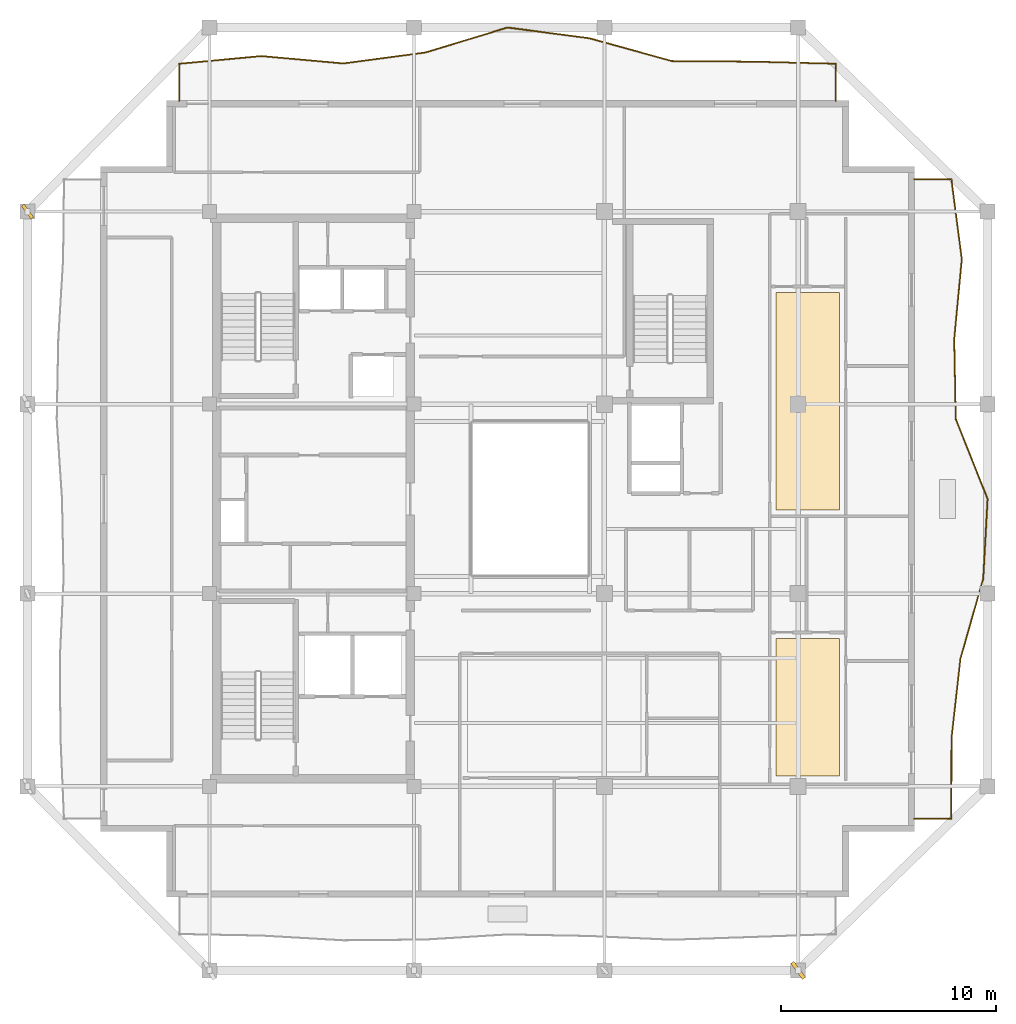
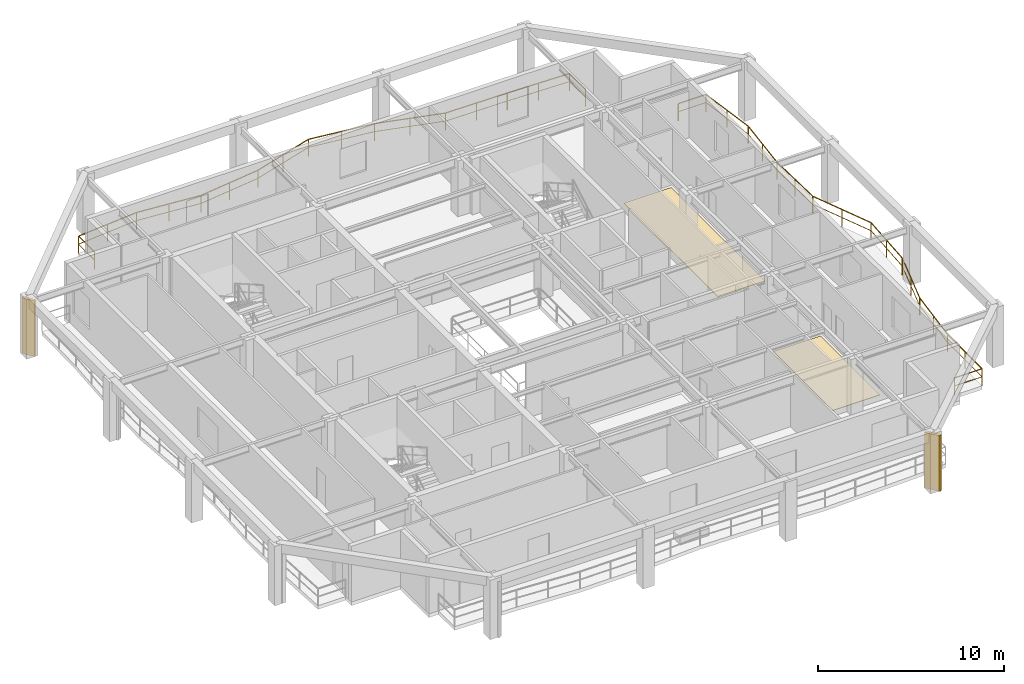
# One storey, part 9 of 10: 2 coverings, 2 railings, 2 shading devices.
"""IFC4 building model written with IfcOpenShell, lengths in metres."""

from ifc_helpers import new_model, si_unit, direction, frame, origin, origin_2d, place, context, subcontext, project, spatial, polyline, rectangle, outline, extrude, material, layer, layer_set, type_object, element, save


model = new_model("IFC4")

# Units and contexts
model_context = context("Model", 3, precision=1e-05, world=origin(), true_north=direction((0.0, 1.0)))
body_context = subcontext(model_context, "Body", "Model", "MODEL_VIEW")
ifc_project = project(units=[si_unit("LENGTHUNIT", "METRE"), si_unit("AREAUNIT", "SQUARE_METRE"), si_unit("VOLUMEUNIT", "CUBIC_METRE"), si_unit("PLANEANGLEUNIT", "RADIAN"), si_unit("MASSUNIT", "GRAM", prefix="KILO")], contexts=[model_context])

# Site, building, storey
site_placement = place(None, origin())
site = spatial("IfcSite", under=ifc_project, at=site_placement, CompositionType="ELEMENT")
building_placement = place(site_placement, origin())
building = spatial("IfcBuilding", under=site, at=building_placement, Name="Kundavana Baori Tower", CompositionType="ELEMENT")
storey_placement = place(building_placement, frame((0.0, 0.0, 276.5)))
storey = spatial("IfcBuildingStorey", under=building, at=storey_placement, Name="L68", CompositionType="ELEMENT", Elevation=276.5)

# Coverings
ifc_material_1 = material(Name="Honed Kota Stone and Terrazzo Flooring", Category="masonry")
ifc_layer = layer(ifc_material_1, 0.030029296875, Name="COV-INT-FLR")
ifc_layer_set = layer_set([ifc_layer], Name="Honed Kota Stone and Terrazzo Flooring")
covering_type = type_object("IfcCoveringType", Name="COV-INT-FLR", PredefinedType="FLOORING", material=ifc_layer_set)
covering_1_placement = place(storey_placement, origin())
element("IfcCovering", 1, at=covering_1_placement, inside=storey, type_object=covering_type, Name="L68 Room Finished Stone Flooring 2", PredefinedType="FLOORING", context=body_context, shape_type="SweptSolid", body=[
    extrude(outline(polyline([(41.780029296875, 15.72998046875), (44.719970703125, 15.72998046875), (44.719970703125, 22.1201171875), (41.780029296875, 22.1201171875), (41.780029296875, 15.72998046875)])), origin(), (0.0, 0.0, 1.0), 0.030029296875),
])
covering_2_placement = place(storey_placement, origin())
element("IfcCovering", 2, at=covering_2_placement, inside=storey, type_object=covering_type, Name="L68 Room Finished Stone Flooring 3", PredefinedType="FLOORING", context=body_context, shape_type="SweptSolid", body=[
    extrude(outline(polyline([(41.780029296875, 28.080078125), (44.719970703125, 28.080078125), (44.719970703125, 38.18994140625), (41.780029296875, 38.18994140625), (41.780029296875, 28.080078125)])), origin(), (0.0, 0.0, 1.0), 0.030029296875),
])

# Railings
ifc_material_2 = material(Name="Architectural Patinated Bronze Metalwork")
railing_type = type_object("IfcRailingType", Name="RL-BAL-1150", PredefinedType="BALUSTRADE", material=ifc_material_2)
railing_1_placement = place(storey_placement, frame((48.199951171875, 43.449951171875, 0.0)))
element("IfcRailing", 3, at=railing_1_placement, inside=storey, type_object=railing_type, Name="L68 Loggia Balcony Balustrade E", PredefinedType="BALUSTRADE", context=body_context, shape_type="SweptSolid", body=[
    extrude(rectangle(XDim=0.048095703125, YDim=0.048095703125, at=origin_2d()), frame((0.0, 0.0, 1.1259765625), z_axis=(1.0, 0.0, 0.0), x_axis=(0.0, 1.0, 0.0)), (0.0, 0.0, 1.0), 1.719970703125),
    extrude(rectangle(XDim=0.03125, YDim=0.03125, at=origin_2d()), frame((0.0, 0.0, 0.597900390625), z_axis=(1.0, 0.0, 0.0), x_axis=(0.0, 1.0, 0.0)), (0.0, 0.0, 1.0), 1.719970703125),
    extrude(rectangle(XDim=0.048095703125, YDim=0.048095703125, at=origin_2d()), frame((1.719970703125, 0.0, 1.1259765625), z_axis=(0.129330819445, -0.991601502188, 0.0), x_axis=(0.991601502188, 0.129330819445, 0.0)), (0.0, 0.0, 1.0), 3.743408203125),
    extrude(rectangle(XDim=0.03125, YDim=0.03125, at=origin_2d()), frame((1.719970703125, 0.0, 0.597900390625), z_axis=(0.129330819445, -0.991601502188, 0.0), x_axis=(0.991601502188, 0.129330819445, 0.0)), (0.0, 0.0, 1.0), 3.743408203125),
    extrude(rectangle(XDim=0.048095703125, YDim=0.048095703125, at=origin_2d()), frame((2.2041015625, -3.7119140625, 1.1259765625), z_axis=(-0.094388982681, -0.995535393619, 0.0), x_axis=(0.995535393619, -0.094388982681, 0.0)), (0.0, 0.0, 1.0), 3.729736328125),
    extrude(rectangle(XDim=0.03125, YDim=0.03125, at=origin_2d()), frame((2.2041015625, -3.7119140625, 0.597900390625), z_axis=(-0.094388982681, -0.995535393619, 0.0), x_axis=(0.995535393619, -0.094388982681, 0.0)), (0.0, 0.0, 1.0), 3.729736328125),
    extrude(rectangle(XDim=0.048095703125, YDim=0.048095703125, at=origin_2d()), frame((1.85205078125, -7.425048828125, 1.1259765625), z_axis=(0.019394037073, -0.999811917976, 0.0), x_axis=(0.999811917976, 0.019394037073, 0.0)), (0.0, 0.0, 1.0), 3.713623046875),
    extrude(rectangle(XDim=0.03125, YDim=0.03125, at=origin_2d()), frame((1.85205078125, -7.425048828125, 0.597900390625), z_axis=(0.019394037073, -0.999811917976, 0.0), x_axis=(0.999811917976, 0.019394037073, 0.0)), (0.0, 0.0, 1.0), 3.713623046875),
    extrude(rectangle(XDim=0.048095703125, YDim=0.048095703125, at=origin_2d()), frame((1.924072265625, -11.137939453125, 1.1259765625), z_axis=(0.369514254444, -0.929225061954, 0.0), x_axis=(0.929225061954, 0.369514254444, 0.0)), (0.0, 0.0, 1.0), 3.99462890625),
    extrude(rectangle(XDim=0.03125, YDim=0.03125, at=origin_2d()), frame((1.924072265625, -11.137939453125, 0.597900390625), z_axis=(0.369514254444, -0.929225061954, 0.0), x_axis=(0.929225061954, 0.369514254444, 0.0)), (0.0, 0.0, 1.0), 3.99462890625),
    extrude(rectangle(XDim=0.048095703125, YDim=0.048095703125, at=origin_2d()), frame((3.400146484375, -14.849853515625, 1.1259765625), z_axis=(-0.054898996331, -0.998491912938, 0.0), x_axis=(0.998491912938, -0.054898996331, 0.0)), (0.0, 0.0, 1.0), 3.7177734375),
    extrude(rectangle(XDim=0.03125, YDim=0.03125, at=origin_2d()), frame((3.400146484375, -14.849853515625, 0.597900390625), z_axis=(-0.054898996331, -0.998491912938, 0.0), x_axis=(0.998491912938, -0.054898996331, 0.0)), (0.0, 0.0, 1.0), 3.7177734375),
    extrude(rectangle(XDim=0.048095703125, YDim=0.048095703125, at=origin_2d()), frame((3.196044921875, -18.56201171875, 1.1259765625), z_axis=(-0.273543096347, -0.961859747802, 0.0), x_axis=(0.961859747802, -0.273543096347, 0.0)), (0.0, 0.0, 1.0), 3.860107421875),
    extrude(rectangle(XDim=0.03125, YDim=0.03125, at=origin_2d()), frame((3.196044921875, -18.56201171875, 0.597900390625), z_axis=(-0.273543096347, -0.961859747802, 0.0), x_axis=(0.961859747802, -0.273543096347, 0.0)), (0.0, 0.0, 1.0), 3.860107421875),
    extrude(rectangle(XDim=0.048095703125, YDim=0.048095703125, at=origin_2d()), frame((2.14013671875, -22.27490234375, 1.1259765625), z_axis=(-0.11134227944, -0.993782117372, 0.0), x_axis=(0.993782117372, -0.11134227944, 0.0)), (0.0, 0.0, 1.0), 3.736328125),
    extrude(rectangle(XDim=0.03125, YDim=0.03125, at=origin_2d()), frame((2.14013671875, -22.27490234375, 0.597900390625), z_axis=(-0.11134227944, -0.993782117372, 0.0), x_axis=(0.993782117372, -0.11134227944, 0.0)), (0.0, 0.0, 1.0), 3.736328125),
    extrude(rectangle(XDim=0.048095703125, YDim=0.048095703125, at=origin_2d()), frame((1.72412109375, -25.988037109375, 1.1259765625), z_axis=(-0.00111812611, -0.999999374897, 0.0), x_axis=(0.999999374897, -0.00111812611, 0.0)), (0.0, 0.0, 1.0), 3.7119140625),
    extrude(rectangle(XDim=0.03125, YDim=0.03125, at=origin_2d()), frame((1.72412109375, -25.988037109375, 0.597900390625), z_axis=(-0.00111812611, -0.999999374897, 0.0), x_axis=(0.999999374897, -0.00111812611, 0.0)), (0.0, 0.0, 1.0), 3.7119140625),
    extrude(rectangle(XDim=0.048095703125, YDim=0.048095703125, at=origin_2d()), frame((1.719970703125, -29.699951171875, 1.1259765625), z_axis=(-1.0, 0.0, 0.0), x_axis=(0.0, -1.0, 0.0)), (0.0, 0.0, 1.0), 1.719970703125),
    extrude(rectangle(XDim=0.03125, YDim=0.03125, at=origin_2d()), frame((1.719970703125, -29.699951171875, 0.597900390625), z_axis=(-1.0, 0.0, 0.0), x_axis=(0.0, -1.0, 0.0)), (0.0, 0.0, 1.0), 1.719970703125),
    extrude(rectangle(XDim=0.0419921875, YDim=0.0419921875, at=origin_2d()), origin(), (0.0, 0.0, 1.0), 1.101806640625),
    extrude(rectangle(XDim=0.0419921875, YDim=0.0419921875, at=origin_2d()), frame((1.719970703125, 0.0, 0.0)), (0.0, 0.0, 1.0), 1.101806640625),
    extrude(rectangle(XDim=0.0419921875, YDim=0.0419921875, at=origin_2d()), frame((1.9619140625, -1.85595703125, 0.0)), (0.0, 0.0, 1.0), 1.101806640625),
    extrude(rectangle(XDim=0.0419921875, YDim=0.0419921875, at=origin_2d()), frame((2.2041015625, -3.7119140625, 0.0)), (0.0, 0.0, 1.0), 1.101806640625),
    extrude(rectangle(XDim=0.0419921875, YDim=0.0419921875, at=origin_2d()), frame((2.028076171875, -5.568359375, 0.0)), (0.0, 0.0, 1.0), 1.101806640625),
    extrude(rectangle(XDim=0.0419921875, YDim=0.0419921875, at=origin_2d()), frame((1.85205078125, -7.425048828125, 0.0)), (0.0, 0.0, 1.0), 1.101806640625),
    extrude(rectangle(XDim=0.0419921875, YDim=0.0419921875, at=origin_2d()), frame((1.88818359375, -9.281494140625, 0.0)), (0.0, 0.0, 1.0), 1.101806640625),
    extrude(rectangle(XDim=0.0419921875, YDim=0.0419921875, at=origin_2d()), frame((1.924072265625, -11.137939453125, 0.0)), (0.0, 0.0, 1.0), 1.101806640625),
    extrude(rectangle(XDim=0.0419921875, YDim=0.0419921875, at=origin_2d()), frame((2.662109375, -12.993896484375, 0.0)), (0.0, 0.0, 1.0), 1.101806640625),
    extrude(rectangle(XDim=0.0419921875, YDim=0.0419921875, at=origin_2d()), frame((3.400146484375, -14.849853515625, 0.0)), (0.0, 0.0, 1.0), 1.101806640625),
    extrude(rectangle(XDim=0.0419921875, YDim=0.0419921875, at=origin_2d()), frame((3.298095703125, -16.7060546875, 0.0)), (0.0, 0.0, 1.0), 1.101806640625),
    extrude(rectangle(XDim=0.0419921875, YDim=0.0419921875, at=origin_2d()), frame((3.196044921875, -18.56201171875, 0.0)), (0.0, 0.0, 1.0), 1.101806640625),
    extrude(rectangle(XDim=0.0419921875, YDim=0.0419921875, at=origin_2d()), frame((2.66796875, -20.41845703125, 0.0)), (0.0, 0.0, 1.0), 1.101806640625),
    extrude(rectangle(XDim=0.0419921875, YDim=0.0419921875, at=origin_2d()), frame((2.14013671875, -22.27490234375, 0.0)), (0.0, 0.0, 1.0), 1.101806640625),
    extrude(rectangle(XDim=0.0419921875, YDim=0.0419921875, at=origin_2d()), frame((1.93212890625, -24.13134765625, 0.0)), (0.0, 0.0, 1.0), 1.101806640625),
    extrude(rectangle(XDim=0.0419921875, YDim=0.0419921875, at=origin_2d()), frame((1.72412109375, -25.988037109375, 0.0)), (0.0, 0.0, 1.0), 1.101806640625),
    extrude(rectangle(XDim=0.0419921875, YDim=0.0419921875, at=origin_2d()), frame((1.72216796875, -27.843994140625, 0.0)), (0.0, 0.0, 1.0), 1.101806640625),
    extrude(rectangle(XDim=0.0419921875, YDim=0.0419921875, at=origin_2d()), frame((1.719970703125, -29.699951171875, 0.0)), (0.0, 0.0, 1.0), 1.101806640625),
    extrude(rectangle(XDim=0.0419921875, YDim=0.0419921875, at=origin_2d()), frame((0.0, -29.699951171875, 0.0)), (0.0, 0.0, 1.0), 1.101806640625),
])
railing_2_placement = place(storey_placement, frame((14.050048828125, 47.10009765625, 0.0)))
element("IfcRailing", 4, at=railing_2_placement, inside=storey, type_object=railing_type, Name="L68 Loggia Balcony Balustrade N", PredefinedType="BALUSTRADE", context=body_context, shape_type="SweptSolid", body=[
    extrude(rectangle(XDim=0.048095703125, YDim=0.048095703125, at=origin_2d()), frame((0.0, 0.0, 1.1259765625), z_axis=(0.0, 1.0, 0.0), x_axis=(-1.0, 0.0, 0.0)), (0.0, 0.0, 1.0), 1.719970703125),
    extrude(rectangle(XDim=0.03125, YDim=0.03125, at=origin_2d()), frame((0.0, 0.0, 0.597900390625), z_axis=(0.0, 1.0, 0.0), x_axis=(-1.0, 0.0, 0.0)), (0.0, 0.0, 1.0), 1.719970703125),
    extrude(rectangle(XDim=0.048095703125, YDim=0.048095703125, at=origin_2d()), frame((0.0, 1.719970703125, 1.1259765625), z_axis=(0.995647176284, 0.093202469697, 0.0), x_axis=(-0.093202469697, 0.995647176284, 0.0)), (0.0, 0.0, 1.0), 3.82958984375),
    extrude(rectangle(XDim=0.03125, YDim=0.03125, at=origin_2d()), frame((0.0, 1.719970703125, 0.597900390625), z_axis=(0.995647176284, 0.093202469697, 0.0), x_axis=(-0.093202469697, 0.995647176284, 0.0)), (0.0, 0.0, 1.0), 3.82958984375),
    extrude(rectangle(XDim=0.048095703125, YDim=0.048095703125, at=origin_2d()), frame((3.81298828125, 2.076904296875, 1.1259765625), z_axis=(0.995975919339, -0.089621248026, 0.0), x_axis=(0.089621248026, 0.995975919339, 0.0)), (0.0, 0.0, 1.0), 3.827392578125),
    extrude(rectangle(XDim=0.03125, YDim=0.03125, at=origin_2d()), frame((3.81298828125, 2.076904296875, 0.597900390625), z_axis=(0.995975919339, -0.089621248026, 0.0), x_axis=(0.089621248026, 0.995975919339, 0.0)), (0.0, 0.0, 1.0), 3.827392578125),
    extrude(rectangle(XDim=0.048095703125, YDim=0.048095703125, at=origin_2d()), frame((7.625, 1.73388671875, 1.1259765625), z_axis=(0.991168479406, 0.132608617489, 0.0), x_axis=(-0.132608617489, 0.991168479406, 0.0)), (0.0, 0.0, 1.0), 3.845947265625),
    extrude(rectangle(XDim=0.03125, YDim=0.03125, at=origin_2d()), frame((7.625, 1.73388671875, 0.597900390625), z_axis=(0.991168479406, 0.132608617489, 0.0), x_axis=(-0.132608617489, 0.991168479406, 0.0)), (0.0, 0.0, 1.0), 3.845947265625),
    extrude(rectangle(XDim=0.048095703125, YDim=0.048095703125, at=origin_2d()), frame((11.43701171875, 2.243896484375, 1.1259765625), z_axis=(0.956985745048, 0.290134940633, 0.0), x_axis=(-0.290134940633, 0.956985745048, 0.0)), (0.0, 0.0, 1.0), 3.984375),
    extrude(rectangle(XDim=0.03125, YDim=0.03125, at=origin_2d()), frame((11.43701171875, 2.243896484375, 0.597900390625), z_axis=(0.956985745048, 0.290134940633, 0.0), x_axis=(-0.290134940633, 0.956985745048, 0.0)), (0.0, 0.0, 1.0), 3.984375),
    extrude(rectangle(XDim=0.048095703125, YDim=0.048095703125, at=origin_2d()), frame((15.25, 3.39990234375, 1.1259765625), z_axis=(0.991572767282, -0.129550944361, 0.0), x_axis=(0.129550944361, 0.991572767282, 0.0)), (0.0, 0.0, 1.0), 3.844482421875),
    extrude(rectangle(XDim=0.03125, YDim=0.03125, at=origin_2d()), frame((15.25, 3.39990234375, 0.597900390625), z_axis=(0.991572767282, -0.129550944361, 0.0), x_axis=(0.129550944361, 0.991572767282, 0.0)), (0.0, 0.0, 1.0), 3.844482421875),
    extrude(rectangle(XDim=0.048095703125, YDim=0.048095703125, at=origin_2d()), frame((19.06201171875, 2.90185546875, 1.1259765625), z_axis=(0.963666271096, -0.267109187321, 0.0), x_axis=(0.267109187321, 0.963666271096, 0.0)), (0.0, 0.0, 1.0), 3.956787109375),
    extrude(rectangle(XDim=0.03125, YDim=0.03125, at=origin_2d()), frame((19.06201171875, 2.90185546875, 0.597900390625), z_axis=(0.963666271096, -0.267109187321, 0.0), x_axis=(0.267109187321, 0.963666271096, 0.0)), (0.0, 0.0, 1.0), 3.956787109375),
    extrude(rectangle(XDim=0.048095703125, YDim=0.048095703125, at=origin_2d()), frame((22.875, 1.844970703125, 1.1259765625), z_axis=(0.999972878128, -0.007364985333, 0.0), x_axis=(0.007364985333, 0.999972878128, 0.0)), (0.0, 0.0, 1.0), 3.81201171875),
    extrude(rectangle(XDim=0.03125, YDim=0.03125, at=origin_2d()), frame((22.875, 1.844970703125, 0.597900390625), z_axis=(0.999972878128, -0.007364985333, 0.0), x_axis=(0.007364985333, 0.999972878128, 0.0)), (0.0, 0.0, 1.0), 3.81201171875),
    extrude(rectangle(XDim=0.048095703125, YDim=0.048095703125, at=origin_2d()), frame((26.68701171875, 1.81689453125, 1.1259765625), z_axis=(0.999677083839, -0.025411179555, 0.0), x_axis=(0.025411179555, 0.999677083839, 0.0)), (0.0, 0.0, 1.0), 3.814208984375),
    extrude(rectangle(XDim=0.03125, YDim=0.03125, at=origin_2d()), frame((26.68701171875, 1.81689453125, 0.597900390625), z_axis=(0.999677083839, -0.025411179555, 0.0), x_axis=(0.025411179555, 0.999677083839, 0.0)), (0.0, 0.0, 1.0), 3.814208984375),
    extrude(rectangle(XDim=0.048095703125, YDim=0.048095703125, at=origin_2d()), frame((30.5, 1.719970703125, 1.1259765625), z_axis=(0.0, -1.0, 0.0), x_axis=(1.0, 0.0, 0.0)), (0.0, 0.0, 1.0), 1.719970703125),
    extrude(rectangle(XDim=0.03125, YDim=0.03125, at=origin_2d()), frame((30.5, 1.719970703125, 0.597900390625), z_axis=(0.0, -1.0, 0.0), x_axis=(1.0, 0.0, 0.0)), (0.0, 0.0, 1.0), 1.719970703125),
    extrude(rectangle(XDim=0.0419921875, YDim=0.0419921875, at=origin_2d()), origin(), (0.0, 0.0, 1.0), 1.101806640625),
    extrude(rectangle(XDim=0.0419921875, YDim=0.0419921875, at=origin_2d()), frame((0.0, 1.719970703125, 0.0)), (0.0, 0.0, 1.0), 1.101806640625),
    extrude(rectangle(XDim=0.0419921875, YDim=0.0419921875, at=origin_2d()), frame((1.906494140625, 1.8984375, 0.0)), (0.0, 0.0, 1.0), 1.101806640625),
    extrude(rectangle(XDim=0.0419921875, YDim=0.0419921875, at=origin_2d()), frame((3.81298828125, 2.076904296875, 0.0)), (0.0, 0.0, 1.0), 1.101806640625),
    extrude(rectangle(XDim=0.0419921875, YDim=0.0419921875, at=origin_2d()), frame((5.718994140625, 1.9052734375, 0.0)), (0.0, 0.0, 1.0), 1.101806640625),
    extrude(rectangle(XDim=0.0419921875, YDim=0.0419921875, at=origin_2d()), frame((7.625, 1.73388671875, 0.0)), (0.0, 0.0, 1.0), 1.101806640625),
    extrude(rectangle(XDim=0.0419921875, YDim=0.0419921875, at=origin_2d()), frame((9.531005859375, 1.98876953125, 0.0)), (0.0, 0.0, 1.0), 1.101806640625),
    extrude(rectangle(XDim=0.0419921875, YDim=0.0419921875, at=origin_2d()), frame((11.43701171875, 2.243896484375, 0.0)), (0.0, 0.0, 1.0), 1.101806640625),
    extrude(rectangle(XDim=0.0419921875, YDim=0.0419921875, at=origin_2d()), frame((13.343505859375, 2.82177734375, 0.0)), (0.0, 0.0, 1.0), 1.101806640625),
    extrude(rectangle(XDim=0.0419921875, YDim=0.0419921875, at=origin_2d()), frame((15.25, 3.39990234375, 0.0)), (0.0, 0.0, 1.0), 1.101806640625),
    extrude(rectangle(XDim=0.0419921875, YDim=0.0419921875, at=origin_2d()), frame((17.156005859375, 3.15087890625, 0.0)), (0.0, 0.0, 1.0), 1.101806640625),
    extrude(rectangle(XDim=0.0419921875, YDim=0.0419921875, at=origin_2d()), frame((19.06201171875, 2.90185546875, 0.0)), (0.0, 0.0, 1.0), 1.101806640625),
    extrude(rectangle(XDim=0.0419921875, YDim=0.0419921875, at=origin_2d()), frame((20.968505859375, 2.37353515625, 0.0)), (0.0, 0.0, 1.0), 1.101806640625),
    extrude(rectangle(XDim=0.0419921875, YDim=0.0419921875, at=origin_2d()), frame((22.875, 1.844970703125, 0.0)), (0.0, 0.0, 1.0), 1.101806640625),
    extrude(rectangle(XDim=0.0419921875, YDim=0.0419921875, at=origin_2d()), frame((24.781005859375, 1.8310546875, 0.0)), (0.0, 0.0, 1.0), 1.101806640625),
    extrude(rectangle(XDim=0.0419921875, YDim=0.0419921875, at=origin_2d()), frame((26.68701171875, 1.81689453125, 0.0)), (0.0, 0.0, 1.0), 1.101806640625),
    extrude(rectangle(XDim=0.0419921875, YDim=0.0419921875, at=origin_2d()), frame((28.593505859375, 1.7685546875, 0.0)), (0.0, 0.0, 1.0), 1.101806640625),
    extrude(rectangle(XDim=0.0419921875, YDim=0.0419921875, at=origin_2d()), frame((30.5, 1.719970703125, 0.0)), (0.0, 0.0, 1.0), 1.101806640625),
    extrude(rectangle(XDim=0.0419921875, YDim=0.0419921875, at=origin_2d()), frame((30.5, 0.0, 0.0)), (0.0, 0.0, 1.0), 1.101806640625),
])

# Shading devices
ifc_material_3 = material(Name="Red-Buff Dholpur Sandstone Cladding on Concrete C40/50", Category="masonry")
shading_device_type_1 = type_object("IfcShadingDeviceType", Name="SHD-FIN-750", PredefinedType="JALOUSIE", material=ifc_material_3)
shading_device_1_placement = place(storey_placement, frame((7.0, 41.949951171875, 0.0), z_axis=(0.0, 0.0, 1.0), x_axis=(0.811573981965, 0.584249665637, 0.0)))
element("IfcShadingDevice", 5, at=shading_device_1_placement, inside=storey, type_object=shading_device_type_1, Name="L68 Sweeping Dholpur Sandstone Facade Fin 8", PredefinedType="JALOUSIE", context=body_context, shape_type="SweptSolid", body=[
    extrude(rectangle(XDim=0.159912109375, YDim=0.75, at=origin_2d()), origin(), (0.0, 0.0, 1.0), 3.659912109375),
])
ifc_material_4 = material(Name="Red-Buff Dholpur Sandstone Cladding on Concrete C40/50", Category="masonry")
shading_device_type_2 = type_object("IfcShadingDeviceType", Name="SHD-FIN-920", PredefinedType="JALOUSIE", material=ifc_material_4)
shading_device_2_placement = place(storey_placement, frame((42.800048828125, 6.699951171875, 0.0), z_axis=(0.0, 0.0, 1.0), x_axis=(0.803129547743, 0.595804439009, 0.0)))
element("IfcShadingDevice", 6, at=shading_device_2_placement, inside=storey, type_object=shading_device_type_2, Name="L68 Sweeping Dholpur Sandstone Facade Fin 4", PredefinedType="JALOUSIE", context=body_context, shape_type="SweptSolid", body=[
    extrude(rectangle(XDim=0.179931640625, YDim=0.919921875, at=origin_2d()), origin(), (0.0, 0.0, 1.0), 3.659912109375),
])

save(model, "model.ifc")
